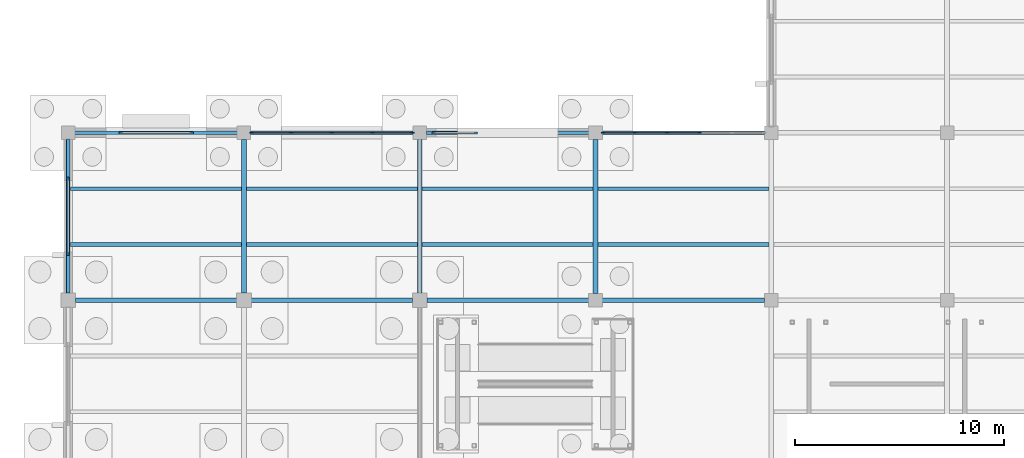
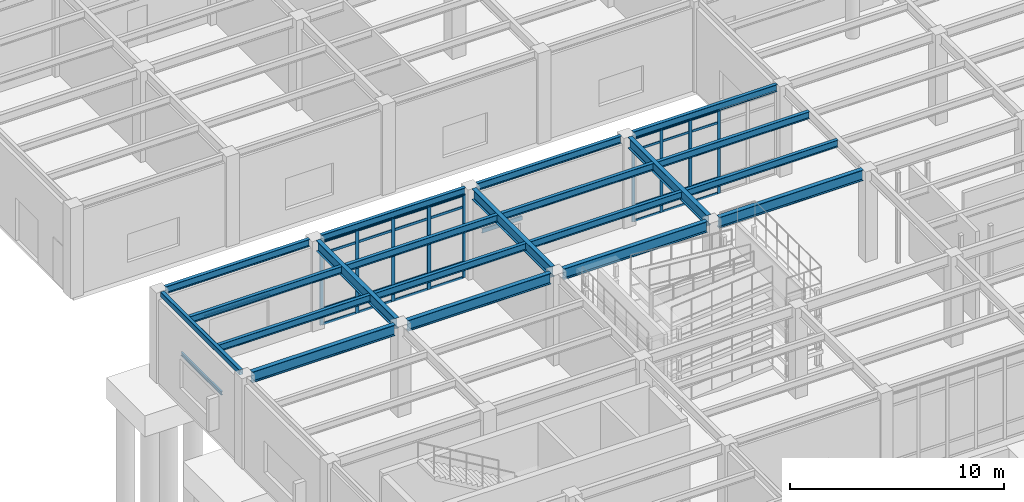
# One storey, part 26 of 138: 37 members, 23 beams, 2 elements without a shape of their own.
"""IFC4 building model written with IfcOpenShell, lengths in metres."""

from ifc_helpers import new_model, si_unit, direction, frame, origin, origin_2d, place, context, subcontext, project, spatial, rectangle, hollow_rectangle, i_section, u_section, extrude, material, layer, layer_set, material_profile, profile_set, type_object, element, aggregate, save


model = new_model("IFC4")

# Units and contexts
model_context = context("Model", 3, precision=1e-05, world=origin(), true_north=direction((0.0, 1.0)))
body_context = subcontext(model_context, "Body", "Model", "MODEL_VIEW")
ifc_project = project(units=[si_unit("LENGTHUNIT", "METRE"), si_unit("AREAUNIT", "SQUARE_METRE"), si_unit("VOLUMEUNIT", "CUBIC_METRE"), si_unit("PLANEANGLEUNIT", "RADIAN"), si_unit("MASSUNIT", "GRAM", prefix="KILO")], contexts=[model_context])

# Site, building, storey
site_placement = place(None, origin())
site = spatial("IfcSite", under=ifc_project, at=site_placement, CompositionType="ELEMENT")
building_placement = place(site_placement, origin())
building = spatial("IfcBuilding", under=site, at=building_placement, Name="Kranzveld Transit Interchange", CompositionType="ELEMENT")
storey_placement = place(building_placement, origin())
storey = spatial("IfcBuildingStorey", under=building, at=storey_placement, Name="L00", CompositionType="ELEMENT", Elevation=0.0)

# Curtain wall, members
ifc_material_1 = material(Name="Bronze-anodised thermally broken aluminium", Category="aluminium")
ifc_layer_1 = layer(ifc_material_1, 0.1650390625)
ifc_layer_set_1 = layer_set([ifc_layer_1], Name="Bronze-anodised thermally broken aluminium")
curtain_wall_type_1 = type_object("IfcCurtainWallType", Name="Sunny Court Arcade Curtain Wall CW-2", PredefinedType="USERDEFINED", material=ifc_layer_set_1)
curtain_wall_1_placement = place(storey_placement, origin())
curtain_wall_1 = element("IfcCurtainWall", 1, at=curtain_wall_1_placement, inside=storey, type_object=curtain_wall_type_1, Name="L00 Curtain Wall 04/F-05/F", ObjectType="CURTAIN WALL", PredefinedType="USERDEFINED")
ifc_material_2 = material(Name="Bronze-anodised thermally broken aluminium", Category="aluminium")
ifc_material_profile_1 = material_profile(ifc_material_2, rectangle(XDim=0.06494140625, YDim=0.1650390625, at=origin_2d()), Name="ALU MULLION 65x165")
ifc_profile_set_1 = profile_set([ifc_material_profile_1], Name="Bronze-anodised thermally broken aluminium")
member_type_1 = type_object("IfcMemberType", Name="Curtain Wall Mullion 65x165 Alu", PredefinedType="MULLION", material=ifc_profile_set_1)
member_1_placement = place(storey_placement, frame((25.5576171875, 40.0, 0.0), z_axis=(0.0, 0.0, 1.0), x_axis=(0.0, 1.0, 0.0)))
member_1 = element("IfcMember", 2, at=member_1_placement, type_object=member_type_1, Name="CW-2 mullion 1", PredefinedType="MULLION", context=body_context, shape_type="SweptSolid", body=[
    extrude(rectangle(XDim=0.06494140625, YDim=0.1650390625, at=origin_2d()), origin(), (0.0, 0.0, 1.0), 4.740478515625),
])
member_2_placement = place(storey_placement, frame((27.074951171875, 40.0, 0.0), z_axis=(0.0, 0.0, 1.0), x_axis=(0.0, 1.0, 0.0)))
member_2 = element("IfcMember", 3, at=member_2_placement, type_object=member_type_1, Name="CW-2 mullion 2", PredefinedType="MULLION", context=body_context, shape_type="SweptSolid", body=[
    extrude(rectangle(XDim=0.06494140625, YDim=0.1650390625, at=origin_2d()), origin(), (0.0, 0.0, 1.0), 4.740478515625),
])
member_3_placement = place(storey_placement, frame((28.625, 40.0, 0.0), z_axis=(0.0, 0.0, 1.0), x_axis=(0.0, 1.0, 0.0)))
member_3 = element("IfcMember", 4, at=member_3_placement, type_object=member_type_1, Name="CW-2 mullion 3", PredefinedType="MULLION", context=body_context, shape_type="SweptSolid", body=[
    extrude(rectangle(XDim=0.06494140625, YDim=0.1650390625, at=origin_2d()), origin(), (0.0, 0.0, 1.0), 4.740478515625),
])
member_4_placement = place(storey_placement, frame((30.175048828125, 40.0, 0.0), z_axis=(0.0, 0.0, 1.0), x_axis=(0.0, 1.0, 0.0)))
member_4 = element("IfcMember", 5, at=member_4_placement, type_object=member_type_1, Name="CW-2 mullion 4", PredefinedType="MULLION", context=body_context, shape_type="SweptSolid", body=[
    extrude(rectangle(XDim=0.06494140625, YDim=0.1650390625, at=origin_2d()), origin(), (0.0, 0.0, 1.0), 4.740478515625),
])

ifc_material_3 = material(Name="Bronze-anodised thermally broken aluminium", Category="aluminium")
ifc_layer_2 = layer(ifc_material_3, 0.179931640625)
ifc_layer_set_2 = layer_set([ifc_layer_2], Name="Bronze-anodised thermally broken aluminium")
curtain_wall_type_2 = type_object("IfcCurtainWallType", Name="Concourse Unitised Curtain Wall CW-1", PredefinedType="USERDEFINED", material=ifc_layer_set_2)
curtain_wall_2_placement = place(storey_placement, origin())
curtain_wall_2 = element("IfcCurtainWall", 6, at=curtain_wall_2_placement, inside=storey, type_object=curtain_wall_type_2, Name="L00 Curtain Wall 02/F-03/F", ObjectType="CURTAIN WALL", PredefinedType="USERDEFINED")
ifc_material_4 = material(Name="Bronze-anodised thermally broken aluminium", Category="aluminium")
ifc_material_profile_2 = material_profile(ifc_material_4, rectangle(XDim=0.06494140625, YDim=0.179931640625, at=origin_2d()), Name="ALU MULLION 65x180")
ifc_profile_set_2 = profile_set([ifc_material_profile_2], Name="Bronze-anodised thermally broken aluminium")
member_type_2 = type_object("IfcMemberType", Name="Curtain Wall Mullion 65x180 Alu", PredefinedType="MULLION", material=ifc_profile_set_2)
member_5_placement = place(storey_placement, frame((8.757568359375, 40.0, 0.0), z_axis=(0.0, 0.0, 1.0), x_axis=(0.0, 1.0, 0.0)))
member_5 = element("IfcMember", 7, at=member_5_placement, type_object=member_type_2, Name="CW-1 mullion 1", PredefinedType="MULLION", context=body_context, shape_type="SweptSolid", body=[
    extrude(rectangle(XDim=0.06494140625, YDim=0.179931640625, at=origin_2d()), origin(), (0.0, 0.0, 1.0), 4.740478515625),
])
member_6_placement = place(storey_placement, frame((10.66259765625, 40.0, 0.0), z_axis=(0.0, 0.0, 1.0), x_axis=(0.0, 1.0, 0.0)))
member_6 = element("IfcMember", 8, at=member_6_placement, type_object=member_type_2, Name="CW-1 mullion 2", PredefinedType="MULLION", context=body_context, shape_type="SweptSolid", body=[
    extrude(rectangle(XDim=0.06494140625, YDim=0.179931640625, at=origin_2d()), origin(), (0.0, 0.0, 1.0), 4.740478515625),
])
member_7_placement = place(storey_placement, frame((12.60009765625, 40.0, 0.0), z_axis=(0.0, 0.0, 1.0), x_axis=(0.0, 1.0, 0.0)))
member_7 = element("IfcMember", 9, at=member_7_placement, type_object=member_type_2, Name="CW-1 mullion 3", PredefinedType="MULLION", context=body_context, shape_type="SweptSolid", body=[
    extrude(rectangle(XDim=0.06494140625, YDim=0.179931640625, at=origin_2d()), origin(), (0.0, 0.0, 1.0), 4.740478515625),
])
member_8_placement = place(storey_placement, frame((14.53759765625, 40.0, 0.0), z_axis=(0.0, 0.0, 1.0), x_axis=(0.0, 1.0, 0.0)))
member_8 = element("IfcMember", 10, at=member_8_placement, type_object=member_type_2, Name="CW-1 mullion 4", PredefinedType="MULLION", context=body_context, shape_type="SweptSolid", body=[
    extrude(rectangle(XDim=0.06494140625, YDim=0.179931640625, at=origin_2d()), origin(), (0.0, 0.0, 1.0), 4.740478515625),
])
member_9_placement = place(storey_placement, frame((16.4423828125, 40.0, 0.0), z_axis=(0.0, 0.0, 1.0), x_axis=(0.0, 1.0, 0.0)))
member_9 = element("IfcMember", 11, at=member_9_placement, type_object=member_type_2, Name="CW-1 mullion 5", PredefinedType="MULLION", context=body_context, shape_type="SweptSolid", body=[
    extrude(rectangle(XDim=0.06494140625, YDim=0.179931640625, at=origin_2d()), origin(), (0.0, 0.0, 1.0), 4.740478515625),
])

# Member
ifc_material_5 = material(Name="Bronze-anodised thermally broken aluminium", Category="aluminium")
ifc_material_profile_3 = material_profile(ifc_material_5, rectangle(XDim=0.06005859375, YDim=0.125, at=origin_2d()), Name="ALU TRANSOM 60x125")
ifc_profile_set_3 = profile_set([ifc_material_profile_3], Name="Bronze-anodised thermally broken aluminium")
member_type_3 = type_object("IfcMemberType", Name="Curtain Wall Transom 60x125 Alu", PredefinedType="USERDEFINED", material=ifc_profile_set_3)
member_10_placement = place(storey_placement, frame((25.590087890625, 40.0, 0.030029296875), z_axis=(1.0, 0.0, 0.0), x_axis=(0.0, 1.0, 0.0)))
member_10 = element("IfcMember", 12, at=member_10_placement, type_object=member_type_3, Name="CW-2 transom 1.1", ObjectType="TRANSOM", PredefinedType="USERDEFINED", context=body_context, shape_type="SweptSolid", body=[
    extrude(rectangle(XDim=0.06005859375, YDim=0.125, at=origin_2d()), origin(), (0.0, 0.0, 1.0), 1.452392578125),
])

member_11_placement = place(storey_placement, frame((25.590087890625, 40.0, 0.89990234375), z_axis=(1.0, 0.0, 0.0), x_axis=(0.0, 1.0, 0.0)))
member_11 = element("IfcMember", 13, at=member_11_placement, type_object=member_type_3, Name="CW-2 transom 1.2", ObjectType="TRANSOM", PredefinedType="USERDEFINED", context=body_context, shape_type="SweptSolid", body=[
    extrude(rectangle(XDim=0.06005859375, YDim=0.125, at=origin_2d()), origin(), (0.0, 0.0, 1.0), 1.452392578125),
])

member_12_placement = place(storey_placement, frame((25.590087890625, 40.0, 4.04052734375), z_axis=(1.0, 0.0, 0.0), x_axis=(0.0, 1.0, 0.0)))
member_12 = element("IfcMember", 14, at=member_12_placement, type_object=member_type_3, Name="CW-2 transom 1.3", ObjectType="TRANSOM", PredefinedType="USERDEFINED", context=body_context, shape_type="SweptSolid", body=[
    extrude(rectangle(XDim=0.06005859375, YDim=0.125, at=origin_2d()), origin(), (0.0, 0.0, 1.0), 1.452392578125),
])

member_13_placement = place(storey_placement, frame((25.590087890625, 40.0, 4.710693359375), z_axis=(1.0, 0.0, 0.0), x_axis=(0.0, 1.0, 0.0)))
member_13 = element("IfcMember", 15, at=member_13_placement, type_object=member_type_3, Name="CW-2 transom 1.4", ObjectType="TRANSOM", PredefinedType="USERDEFINED", context=body_context, shape_type="SweptSolid", body=[
    extrude(rectangle(XDim=0.06005859375, YDim=0.125, at=origin_2d()), origin(), (0.0, 0.0, 1.0), 1.452392578125),
])

member_14_placement = place(storey_placement, frame((27.107421875, 40.0, 0.030029296875), z_axis=(1.0, 0.0, 0.0), x_axis=(0.0, 1.0, 0.0)))
member_14 = element("IfcMember", 16, at=member_14_placement, type_object=member_type_3, Name="CW-2 transom 2.1", ObjectType="TRANSOM", PredefinedType="USERDEFINED", context=body_context, shape_type="SweptSolid", body=[
    extrude(rectangle(XDim=0.06005859375, YDim=0.125, at=origin_2d()), origin(), (0.0, 0.0, 1.0), 1.485107421875),
])

member_15_placement = place(storey_placement, frame((27.107421875, 40.0, 0.89990234375), z_axis=(1.0, 0.0, 0.0), x_axis=(0.0, 1.0, 0.0)))
member_15 = element("IfcMember", 17, at=member_15_placement, type_object=member_type_3, Name="CW-2 transom 2.2", ObjectType="TRANSOM", PredefinedType="USERDEFINED", context=body_context, shape_type="SweptSolid", body=[
    extrude(rectangle(XDim=0.06005859375, YDim=0.125, at=origin_2d()), origin(), (0.0, 0.0, 1.0), 1.485107421875),
])

member_16_placement = place(storey_placement, frame((27.107421875, 40.0, 4.04052734375), z_axis=(1.0, 0.0, 0.0), x_axis=(0.0, 1.0, 0.0)))
member_16 = element("IfcMember", 18, at=member_16_placement, type_object=member_type_3, Name="CW-2 transom 2.3", ObjectType="TRANSOM", PredefinedType="USERDEFINED", context=body_context, shape_type="SweptSolid", body=[
    extrude(rectangle(XDim=0.06005859375, YDim=0.125, at=origin_2d()), origin(), (0.0, 0.0, 1.0), 1.485107421875),
])

member_17_placement = place(storey_placement, frame((27.107421875, 40.0, 4.710693359375), z_axis=(1.0, 0.0, 0.0), x_axis=(0.0, 1.0, 0.0)))
member_17 = element("IfcMember", 19, at=member_17_placement, type_object=member_type_3, Name="CW-2 transom 2.4", ObjectType="TRANSOM", PredefinedType="USERDEFINED", context=body_context, shape_type="SweptSolid", body=[
    extrude(rectangle(XDim=0.06005859375, YDim=0.125, at=origin_2d()), origin(), (0.0, 0.0, 1.0), 1.485107421875),
])

member_18_placement = place(storey_placement, frame((28.657470703125, 40.0, 0.030029296875), z_axis=(1.0, 0.0, 0.0), x_axis=(0.0, 1.0, 0.0)))
member_18 = element("IfcMember", 20, at=member_18_placement, type_object=member_type_3, Name="CW-2 transom 3.1", ObjectType="TRANSOM", PredefinedType="USERDEFINED", context=body_context, shape_type="SweptSolid", body=[
    extrude(rectangle(XDim=0.06005859375, YDim=0.125, at=origin_2d()), origin(), (0.0, 0.0, 1.0), 1.485107421875),
])

member_19_placement = place(storey_placement, frame((28.657470703125, 40.0, 0.89990234375), z_axis=(1.0, 0.0, 0.0), x_axis=(0.0, 1.0, 0.0)))
member_19 = element("IfcMember", 21, at=member_19_placement, type_object=member_type_3, Name="CW-2 transom 3.2", ObjectType="TRANSOM", PredefinedType="USERDEFINED", context=body_context, shape_type="SweptSolid", body=[
    extrude(rectangle(XDim=0.06005859375, YDim=0.125, at=origin_2d()), origin(), (0.0, 0.0, 1.0), 1.485107421875),
])

member_20_placement = place(storey_placement, frame((28.657470703125, 40.0, 4.04052734375), z_axis=(1.0, 0.0, 0.0), x_axis=(0.0, 1.0, 0.0)))
member_20 = element("IfcMember", 22, at=member_20_placement, type_object=member_type_3, Name="CW-2 transom 3.3", ObjectType="TRANSOM", PredefinedType="USERDEFINED", context=body_context, shape_type="SweptSolid", body=[
    extrude(rectangle(XDim=0.06005859375, YDim=0.125, at=origin_2d()), origin(), (0.0, 0.0, 1.0), 1.485107421875),
])

member_21_placement = place(storey_placement, frame((28.657470703125, 40.0, 4.710693359375), z_axis=(1.0, 0.0, 0.0), x_axis=(0.0, 1.0, 0.0)))
member_21 = element("IfcMember", 23, at=member_21_placement, type_object=member_type_3, Name="CW-2 transom 3.4", ObjectType="TRANSOM", PredefinedType="USERDEFINED", context=body_context, shape_type="SweptSolid", body=[
    extrude(rectangle(XDim=0.06005859375, YDim=0.125, at=origin_2d()), origin(), (0.0, 0.0, 1.0), 1.485107421875),
])

aggregate(curtain_wall_1, [member_1, member_2, member_3, member_4, member_10, member_11, member_12, member_13, member_14, member_15, member_16, member_17, member_18, member_19, member_20, member_21])

ifc_material_6 = material(Name="Bronze-anodised thermally broken aluminium", Category="aluminium")
ifc_material_profile_4 = material_profile(ifc_material_6, rectangle(XDim=0.06494140625, YDim=0.139892578125, at=origin_2d()), Name="ALU TRANSOM 65x140")
ifc_profile_set_4 = profile_set([ifc_material_profile_4], Name="Bronze-anodised thermally broken aluminium")
member_type_4 = type_object("IfcMemberType", Name="Curtain Wall Transom 65x140 Alu", PredefinedType="USERDEFINED", material=ifc_profile_set_4)
member_22_placement = place(storey_placement, frame((8.7900390625, 40.0, 0.032470703125), z_axis=(1.0, 0.0, 0.0), x_axis=(0.0, 1.0, 0.0)))
member_22 = element("IfcMember", 24, at=member_22_placement, type_object=member_type_4, Name="CW-1 transom 1.1", ObjectType="TRANSOM", PredefinedType="USERDEFINED", context=body_context, shape_type="SweptSolid", body=[
    extrude(rectangle(XDim=0.06494140625, YDim=0.139892578125, at=origin_2d()), origin(), (0.0, 0.0, 1.0), 1.83984375),
])

member_23_placement = place(storey_placement, frame((8.7900390625, 40.0, 0.89990234375), z_axis=(1.0, 0.0, 0.0), x_axis=(0.0, 1.0, 0.0)))
member_23 = element("IfcMember", 25, at=member_23_placement, type_object=member_type_4, Name="CW-1 transom 1.2", ObjectType="TRANSOM", PredefinedType="USERDEFINED", context=body_context, shape_type="SweptSolid", body=[
    extrude(rectangle(XDim=0.06494140625, YDim=0.139892578125, at=origin_2d()), origin(), (0.0, 0.0, 1.0), 1.83984375),
])

member_24_placement = place(storey_placement, frame((8.7900390625, 40.0, 4.04052734375), z_axis=(1.0, 0.0, 0.0), x_axis=(0.0, 1.0, 0.0)))
member_24 = element("IfcMember", 26, at=member_24_placement, type_object=member_type_4, Name="CW-1 transom 1.3", ObjectType="TRANSOM", PredefinedType="USERDEFINED", context=body_context, shape_type="SweptSolid", body=[
    extrude(rectangle(XDim=0.06494140625, YDim=0.139892578125, at=origin_2d()), origin(), (0.0, 0.0, 1.0), 1.83984375),
])

member_25_placement = place(storey_placement, frame((8.7900390625, 40.0, 4.7080078125), z_axis=(1.0, 0.0, 0.0), x_axis=(0.0, 1.0, 0.0)))
member_25 = element("IfcMember", 27, at=member_25_placement, type_object=member_type_4, Name="CW-1 transom 1.4", ObjectType="TRANSOM", PredefinedType="USERDEFINED", context=body_context, shape_type="SweptSolid", body=[
    extrude(rectangle(XDim=0.06494140625, YDim=0.139892578125, at=origin_2d()), origin(), (0.0, 0.0, 1.0), 1.83984375),
])

member_26_placement = place(storey_placement, frame((10.695068359375, 40.0, 0.032470703125), z_axis=(1.0, 0.0, 0.0), x_axis=(0.0, 1.0, 0.0)))
member_26 = element("IfcMember", 28, at=member_26_placement, type_object=member_type_4, Name="CW-1 transom 2.1", ObjectType="TRANSOM", PredefinedType="USERDEFINED", context=body_context, shape_type="SweptSolid", body=[
    extrude(rectangle(XDim=0.06494140625, YDim=0.139892578125, at=origin_2d()), origin(), (0.0, 0.0, 1.0), 1.872314453125),
])

member_27_placement = place(storey_placement, frame((10.695068359375, 40.0, 0.89990234375), z_axis=(1.0, 0.0, 0.0), x_axis=(0.0, 1.0, 0.0)))
member_27 = element("IfcMember", 29, at=member_27_placement, type_object=member_type_4, Name="CW-1 transom 2.2", ObjectType="TRANSOM", PredefinedType="USERDEFINED", context=body_context, shape_type="SweptSolid", body=[
    extrude(rectangle(XDim=0.06494140625, YDim=0.139892578125, at=origin_2d()), origin(), (0.0, 0.0, 1.0), 1.872314453125),
])

member_28_placement = place(storey_placement, frame((10.695068359375, 40.0, 4.04052734375), z_axis=(1.0, 0.0, 0.0), x_axis=(0.0, 1.0, 0.0)))
member_28 = element("IfcMember", 30, at=member_28_placement, type_object=member_type_4, Name="CW-1 transom 2.3", ObjectType="TRANSOM", PredefinedType="USERDEFINED", context=body_context, shape_type="SweptSolid", body=[
    extrude(rectangle(XDim=0.06494140625, YDim=0.139892578125, at=origin_2d()), origin(), (0.0, 0.0, 1.0), 1.872314453125),
])

member_29_placement = place(storey_placement, frame((10.695068359375, 40.0, 4.7080078125), z_axis=(1.0, 0.0, 0.0), x_axis=(0.0, 1.0, 0.0)))
member_29 = element("IfcMember", 31, at=member_29_placement, type_object=member_type_4, Name="CW-1 transom 2.4", ObjectType="TRANSOM", PredefinedType="USERDEFINED", context=body_context, shape_type="SweptSolid", body=[
    extrude(rectangle(XDim=0.06494140625, YDim=0.139892578125, at=origin_2d()), origin(), (0.0, 0.0, 1.0), 1.872314453125),
])

member_30_placement = place(storey_placement, frame((12.632568359375, 40.0, 0.032470703125), z_axis=(1.0, 0.0, 0.0), x_axis=(0.0, 1.0, 0.0)))
member_30 = element("IfcMember", 32, at=member_30_placement, type_object=member_type_4, Name="CW-1 transom 3.1", ObjectType="TRANSOM", PredefinedType="USERDEFINED", context=body_context, shape_type="SweptSolid", body=[
    extrude(rectangle(XDim=0.06494140625, YDim=0.139892578125, at=origin_2d()), origin(), (0.0, 0.0, 1.0), 1.872314453125),
])

member_31_placement = place(storey_placement, frame((12.632568359375, 40.0, 0.89990234375), z_axis=(1.0, 0.0, 0.0), x_axis=(0.0, 1.0, 0.0)))
member_31 = element("IfcMember", 33, at=member_31_placement, type_object=member_type_4, Name="CW-1 transom 3.2", ObjectType="TRANSOM", PredefinedType="USERDEFINED", context=body_context, shape_type="SweptSolid", body=[
    extrude(rectangle(XDim=0.06494140625, YDim=0.139892578125, at=origin_2d()), origin(), (0.0, 0.0, 1.0), 1.872314453125),
])

member_32_placement = place(storey_placement, frame((12.632568359375, 40.0, 4.04052734375), z_axis=(1.0, 0.0, 0.0), x_axis=(0.0, 1.0, 0.0)))
member_32 = element("IfcMember", 34, at=member_32_placement, type_object=member_type_4, Name="CW-1 transom 3.3", ObjectType="TRANSOM", PredefinedType="USERDEFINED", context=body_context, shape_type="SweptSolid", body=[
    extrude(rectangle(XDim=0.06494140625, YDim=0.139892578125, at=origin_2d()), origin(), (0.0, 0.0, 1.0), 1.872314453125),
])

member_33_placement = place(storey_placement, frame((12.632568359375, 40.0, 4.7080078125), z_axis=(1.0, 0.0, 0.0), x_axis=(0.0, 1.0, 0.0)))
member_33 = element("IfcMember", 35, at=member_33_placement, type_object=member_type_4, Name="CW-1 transom 3.4", ObjectType="TRANSOM", PredefinedType="USERDEFINED", context=body_context, shape_type="SweptSolid", body=[
    extrude(rectangle(XDim=0.06494140625, YDim=0.139892578125, at=origin_2d()), origin(), (0.0, 0.0, 1.0), 1.872314453125),
])

member_34_placement = place(storey_placement, frame((14.570068359375, 40.0, 0.032470703125), z_axis=(1.0, 0.0, 0.0), x_axis=(0.0, 1.0, 0.0)))
member_34 = element("IfcMember", 36, at=member_34_placement, type_object=member_type_4, Name="CW-1 transom 4.1", ObjectType="TRANSOM", PredefinedType="USERDEFINED", context=body_context, shape_type="SweptSolid", body=[
    extrude(rectangle(XDim=0.06494140625, YDim=0.139892578125, at=origin_2d()), origin(), (0.0, 0.0, 1.0), 1.83984375),
])

member_35_placement = place(storey_placement, frame((14.570068359375, 40.0, 0.89990234375), z_axis=(1.0, 0.0, 0.0), x_axis=(0.0, 1.0, 0.0)))
member_35 = element("IfcMember", 37, at=member_35_placement, type_object=member_type_4, Name="CW-1 transom 4.2", ObjectType="TRANSOM", PredefinedType="USERDEFINED", context=body_context, shape_type="SweptSolid", body=[
    extrude(rectangle(XDim=0.06494140625, YDim=0.139892578125, at=origin_2d()), origin(), (0.0, 0.0, 1.0), 1.83984375),
])

member_36_placement = place(storey_placement, frame((14.570068359375, 40.0, 4.04052734375), z_axis=(1.0, 0.0, 0.0), x_axis=(0.0, 1.0, 0.0)))
member_36 = element("IfcMember", 38, at=member_36_placement, type_object=member_type_4, Name="CW-1 transom 4.3", ObjectType="TRANSOM", PredefinedType="USERDEFINED", context=body_context, shape_type="SweptSolid", body=[
    extrude(rectangle(XDim=0.06494140625, YDim=0.139892578125, at=origin_2d()), origin(), (0.0, 0.0, 1.0), 1.83984375),
])

member_37_placement = place(storey_placement, frame((14.570068359375, 40.0, 4.7080078125), z_axis=(1.0, 0.0, 0.0), x_axis=(0.0, 1.0, 0.0)))
member_37 = element("IfcMember", 39, at=member_37_placement, type_object=member_type_4, Name="CW-1 transom 4.4", ObjectType="TRANSOM", PredefinedType="USERDEFINED", context=body_context, shape_type="SweptSolid", body=[
    extrude(rectangle(XDim=0.06494140625, YDim=0.139892578125, at=origin_2d()), origin(), (0.0, 0.0, 1.0), 1.83984375),
])

aggregate(curtain_wall_2, [member_5, member_6, member_7, member_8, member_9, member_22, member_23, member_24, member_25, member_26, member_27, member_28, member_29, member_30, member_31, member_32, member_33, member_34, member_35, member_36, member_37])

# Beams
ifc_material_7 = material(Name="Steel S355JR", Category="steel")
ifc_material_profile_5 = material_profile(ifc_material_7, hollow_rectangle(XDim=0.199951171875, YDim=0.300048828125, WallThickness=0.010009765625, InnerFilletRadius=0.014892578125, OuterFilletRadius=0.02490234375, at=origin_2d()), Name="RHS 300x200x10")
ifc_profile_set_5 = profile_set([ifc_material_profile_5], Name="Steel S355JR")
beam_type_1 = type_object("IfcBeamType", Name="Edge Spandrel RHS 300x200x10 S355JR", PredefinedType="SPANDREL", material=ifc_profile_set_5)
beam_1_placement = place(storey_placement, frame((0.0, 32.340087890625, 5.0), z_axis=(0.0, 1.0, 0.0), x_axis=(-1.0, 0.0, 0.0)))
element("IfcBeam", 40, at=beam_1_placement, inside=storey, type_object=beam_type_1, Name="L00 Girder 01/E-F", PredefinedType="SPANDREL", context=body_context, shape_type="SweptSolid", body=[
    extrude(hollow_rectangle(XDim=0.199951171875, YDim=0.300048828125, WallThickness=0.010009765625, InnerFilletRadius=0.014892578125, OuterFilletRadius=0.02490234375, at=origin_2d()), origin(), (0.0, 0.0, 1.0), 7.344970703125),
])
ifc_material_8 = material(Name="Steel S355JR", Category="steel")
ifc_material_profile_6 = material_profile(ifc_material_8, i_section(OverallWidth=0.1787109375, OverallDepth=0.409423828125, WebThickness=0.0087890625, FlangeThickness=0.014404296875, FilletRadius=0.01025390625, at=origin_2d()), Name="UB 406x178x67")
ifc_profile_set_6 = profile_set([ifc_material_profile_6], Name="Steel S355JR")
beam_type_2 = type_object("IfcBeamType", Name="Facade Spandrel UB 406x178x67 S355JR", PredefinedType="SPANDREL", material=ifc_profile_set_6)
for number, where, z_axis, x_axis, name in (
    (41, (0.31494140625, 40.0, 4.9453125), (1.0, 0.0, 0.0), (0.0, 1.0, 0.0), "L00 Girder 01-02/F"),
    (42, (8.715087890625, 40.0, 4.9453125), (1.0, 0.0, 0.0), (0.0, 1.0, 0.0), "L00 Girder 02-03/F"),
    (43, (17.114990234375, 40.0, 4.9453125), (1.0, 0.0, 0.0), (0.0, 1.0, 0.0), "L00 Girder 03-04/F"),
    (44, (25.514892578125, 40.0, 4.9453125), (1.0, 0.0, 0.0), (0.0, 1.0, 0.0), "L00 Girder 04-05/F"),
):
    element("IfcBeam", number, at=place(storey_placement, frame(where, z_axis=z_axis, x_axis=x_axis)), inside=storey, type_object=beam_type_2, Name=name, PredefinedType="SPANDREL", context=body_context, shape_type="SweptSolid", body=[
        extrude(i_section(OverallWidth=0.1787109375, OverallDepth=0.409423828125, WebThickness=0.0087890625, FlangeThickness=0.014404296875, FilletRadius=0.01025390625, at=origin_2d()), origin(), (0.0, 0.0, 1.0), 7.77001953125),
    ])
ifc_material_9 = material(Name="Steel S355JR", Category="steel")
ifc_material_profile_7 = material_profile(ifc_material_9, i_section(OverallWidth=0.177734375, OverallDepth=0.402587890625, WebThickness=0.0078125, FlangeThickness=0.010986328125, FilletRadius=0.01025390625, at=origin_2d()), Name="UB 406x178x54")
ifc_profile_set_7 = profile_set([ifc_material_profile_7], Name="Steel S355JR")
beam_type_3 = type_object("IfcBeamType", Name="Floor Joist UB 406x178x54 S355JR", PredefinedType="JOIST", material=ifc_profile_set_7)
for number, where, z_axis, x_axis, name in (
    (45, (0.10205078125, 34.666748046875, 4.94873046875), (1.0, 0.0, 0.0), (0.0, 1.0, 0.0), "L00 Secondary Joist 01-02/E.1"),
    (46, (0.10205078125, 37.333251953125, 4.94873046875), (1.0, 0.0, 0.0), (0.0, 1.0, 0.0), "L00 Secondary Joist 01-02/E.2"),
):
    element("IfcBeam", number, at=place(storey_placement, frame(where, z_axis=z_axis, x_axis=x_axis)), inside=storey, type_object=beam_type_3, Name=name, PredefinedType="JOIST", context=body_context, shape_type="SweptSolid", body=[
        extrude(i_section(OverallWidth=0.177734375, OverallDepth=0.402587890625, WebThickness=0.0078125, FlangeThickness=0.010986328125, FilletRadius=0.01025390625, at=origin_2d()), origin(), (0.0, 0.0, 1.0), 8.181884765625),
    ])
for number, where, z_axis, x_axis, name in (
    (47, (8.51611328125, 34.666748046875, 4.94873046875), (1.0, 0.0, 0.0), (0.0, 1.0, 0.0), "L00 Secondary Joist 02-03/E.1"),
    (48, (8.51611328125, 37.333251953125, 4.94873046875), (1.0, 0.0, 0.0), (0.0, 1.0, 0.0), "L00 Secondary Joist 02-03/E.2"),
):
    element("IfcBeam", number, at=place(storey_placement, frame(where, z_axis=z_axis, x_axis=x_axis)), inside=storey, type_object=beam_type_3, Name=name, PredefinedType="JOIST", context=body_context, shape_type="SweptSolid", body=[
        extrude(i_section(OverallWidth=0.177734375, OverallDepth=0.402587890625, WebThickness=0.0078125, FlangeThickness=0.010986328125, FilletRadius=0.01025390625, at=origin_2d()), origin(), (0.0, 0.0, 1.0), 8.167724609375),
    ])
for number, where, z_axis, x_axis, name in (
    (49, (16.916015625, 34.666748046875, 4.94873046875), (1.0, 0.0, 0.0), (0.0, 1.0, 0.0), "L00 Secondary Joist 03-04/E.1"),
    (50, (16.916015625, 37.333251953125, 4.94873046875), (1.0, 0.0, 0.0), (0.0, 1.0, 0.0), "L00 Secondary Joist 03-04/E.2"),
):
    element("IfcBeam", number, at=place(storey_placement, frame(where, z_axis=z_axis, x_axis=x_axis)), inside=storey, type_object=beam_type_3, Name=name, PredefinedType="JOIST", context=body_context, shape_type="SweptSolid", body=[
        extrude(i_section(OverallWidth=0.177734375, OverallDepth=0.402587890625, WebThickness=0.0078125, FlangeThickness=0.010986328125, FilletRadius=0.01025390625, at=origin_2d()), origin(), (0.0, 0.0, 1.0), 8.16796875),
    ])
for number, where, z_axis, x_axis, name in (
    (51, (25.316162109375, 34.666748046875, 4.94873046875), (1.0, 0.0, 0.0), (0.0, 1.0, 0.0), "L00 Secondary Joist 04-05/E.1"),
    (52, (25.316162109375, 37.333251953125, 4.94873046875), (1.0, 0.0, 0.0), (0.0, 1.0, 0.0), "L00 Secondary Joist 04-05/E.2"),
):
    element("IfcBeam", number, at=place(storey_placement, frame(where, z_axis=z_axis, x_axis=x_axis)), inside=storey, type_object=beam_type_3, Name=name, PredefinedType="JOIST", context=body_context, shape_type="SweptSolid", body=[
        extrude(i_section(OverallWidth=0.177734375, OverallDepth=0.402587890625, WebThickness=0.0078125, FlangeThickness=0.010986328125, FilletRadius=0.01025390625, at=origin_2d()), origin(), (0.0, 0.0, 1.0), 8.167724609375),
    ])
ifc_material_10 = material(Name="Steel S355JR", Category="steel")
ifc_material_profile_8 = material_profile(ifc_material_10, i_section(OverallWidth=0.228271484375, OverallDepth=0.607666015625, WebThickness=0.010986328125, FlangeThickness=0.017333984375, FilletRadius=0.0126953125, at=origin_2d()), Name="UB 610x229x113")
ifc_profile_set_8 = profile_set([ifc_material_profile_8], Name="Steel S355JR")
beam_type_4 = type_object("IfcBeamType", Name="Girder Steel UB 610x229x113 S355JR", PredefinedType="BEAM", material=ifc_profile_set_8)
for number, where, z_axis, x_axis, name in (
    (53, (8.39990234375, 32.340087890625, 4.84619140625), (0.0, 1.0, 0.0), (-1.0, 0.0, 0.0), "L00 Girder 02/E-F"),
    (54, (16.800048828125, 32.340087890625, 4.84619140625), (0.0, 1.0, 0.0), (-1.0, 0.0, 0.0), "L00 Girder 03/E-F"),
):
    element("IfcBeam", number, at=place(storey_placement, frame(where, z_axis=z_axis, x_axis=x_axis)), inside=storey, type_object=beam_type_4, Name=name, PredefinedType="BEAM", context=body_context, shape_type="SweptSolid", body=[
        extrude(i_section(OverallWidth=0.228271484375, OverallDepth=0.607666015625, WebThickness=0.010986328125, FlangeThickness=0.017333984375, FilletRadius=0.0126953125, at=origin_2d()), origin(), (0.0, 0.0, 1.0), 7.344970703125),
    ])
beam_2_placement = place(storey_placement, frame((25.199951171875, 32.31494140625, 4.84619140625), z_axis=(0.0, 1.0, 0.0), x_axis=(-1.0, 0.0, 0.0)))
element("IfcBeam", 55, at=beam_2_placement, inside=storey, type_object=beam_type_4, Name="L00 Girder 04/E-F", PredefinedType="BEAM", context=body_context, shape_type="SweptSolid", body=[
    extrude(i_section(OverallWidth=0.228271484375, OverallDepth=0.607666015625, WebThickness=0.010986328125, FlangeThickness=0.017333984375, FilletRadius=0.0126953125, at=origin_2d()), origin(), (0.0, 0.0, 1.0), 7.3701171875),
])
ifc_material_11 = material(Name="Steel S355JR", Category="steel")
ifc_material_profile_9 = material_profile(ifc_material_11, i_section(OverallWidth=0.230224609375, OverallDepth=0.6171875, WebThickness=0.01318359375, FlangeThickness=0.022216796875, FilletRadius=0.0126953125, at=origin_2d()), Name="UB 610x229x140")
ifc_profile_set_9 = profile_set([ifc_material_profile_9], Name="Steel S355JR")
beam_type_5 = type_object("IfcBeamType", Name="Girder Steel UB 610x229x140 S355JR", PredefinedType="BEAM", material=ifc_profile_set_9)
for number, where, z_axis, x_axis, name in (
    (56, (0.340087890625, 32.0, 4.84130859375), (1.0, 0.0, 0.0), (0.0, 1.0, 0.0), "L00 Girder 01-02/E"),
    (57, (8.739990234375, 32.0, 4.84130859375), (1.0, 0.0, 0.0), (0.0, 1.0, 0.0), "L00 Girder 02-03/E"),
):
    element("IfcBeam", number, at=place(storey_placement, frame(where, z_axis=z_axis, x_axis=x_axis)), inside=storey, type_object=beam_type_5, Name=name, PredefinedType="BEAM", context=body_context, shape_type="SweptSolid", body=[
        extrude(i_section(OverallWidth=0.230224609375, OverallDepth=0.6171875, WebThickness=0.01318359375, FlangeThickness=0.022216796875, FilletRadius=0.0126953125, at=origin_2d()), origin(), (0.0, 0.0, 1.0), 7.719970703125),
    ])
beam_3_placement = place(storey_placement, frame((17.139892578125, 32.0, 4.84130859375), z_axis=(1.0, 0.0, 0.0), x_axis=(0.0, 1.0, 0.0)))
element("IfcBeam", 58, at=beam_3_placement, inside=storey, type_object=beam_type_5, Name="L00 Girder 03-04/E", PredefinedType="BEAM", context=body_context, shape_type="SweptSolid", body=[
    extrude(i_section(OverallWidth=0.230224609375, OverallDepth=0.6171875, WebThickness=0.01318359375, FlangeThickness=0.022216796875, FilletRadius=0.0126953125, at=origin_2d()), origin(), (0.0, 0.0, 1.0), 7.7451171875),
])
beam_4_placement = place(storey_placement, frame((25.514892578125, 32.0, 4.84130859375), z_axis=(1.0, 0.0, 0.0), x_axis=(0.0, 1.0, 0.0)))
element("IfcBeam", 59, at=beam_4_placement, inside=storey, type_object=beam_type_5, Name="L00 Girder 04-05/E", PredefinedType="BEAM", context=body_context, shape_type="SweptSolid", body=[
    extrude(i_section(OverallWidth=0.230224609375, OverallDepth=0.6171875, WebThickness=0.01318359375, FlangeThickness=0.022216796875, FilletRadius=0.0126953125, at=origin_2d()), origin(), (0.0, 0.0, 1.0), 7.77001953125),
])
ifc_material_12 = material(Name="Steel S355JR", Category="steel")
ifc_material_profile_10 = material_profile(ifc_material_12, u_section(Depth=0.22998046875, FlangeWidth=0.090087890625, WebThickness=0.007568359375, FlangeThickness=0.013916015625, FilletRadius=0.011962890625, at=origin_2d()), Name="PFC 230x90x32")
ifc_profile_set_10 = profile_set([ifc_material_profile_10], Name="Steel S355JR")
beam_type_6 = type_object("IfcBeamType", Name="Masonry Lintel PFC 230x90x32 S355JR", PredefinedType="LINTEL", material=ifc_profile_set_10)
beam_5_placement = place(storey_placement, frame((17.39501953125, 40.0, 2.320068359375), z_axis=(1.0, 0.0, 0.0), x_axis=(0.0, 1.0, 0.0)))
element("IfcBeam", 60, at=beam_5_placement, inside=storey, type_object=beam_type_6, Name="L00 Entrance Door Lintel 001", PredefinedType="LINTEL", context=body_context, shape_type="SweptSolid", body=[
    extrude(u_section(Depth=0.22998046875, FlangeWidth=0.090087890625, WebThickness=0.007568359375, FlangeThickness=0.013916015625, FilletRadius=0.011962890625, at=origin_2d()), origin(), (0.0, 0.0, 1.0), 2.159912109375),
])
ifc_material_13 = material(Name="Steel S355JR", Category="steel")
ifc_material_profile_11 = material_profile(ifc_material_13, i_section(OverallWidth=0.091064453125, OverallDepth=0.179931640625, WebThickness=0.00537109375, FlangeThickness=0.008056640625, FilletRadius=0.009033203125, at=origin_2d()), Name="IPE 180")
ifc_profile_set_11 = profile_set([ifc_material_profile_11], Name="Steel S355JR")
beam_type_7 = type_object("IfcBeamType", Name="Opening Lintel IPE 180 S355JR", PredefinedType="LINTEL", material=ifc_profile_set_11)
beam_6_placement = place(storey_placement, frame((2.419921875, 40.0, 2.64501953125), z_axis=(1.0, 0.0, 0.0), x_axis=(0.0, 1.0, 0.0)))
element("IfcBeam", 61, at=beam_6_placement, inside=storey, type_object=beam_type_7, Name="L00 Window Lintel 003", PredefinedType="LINTEL", context=body_context, shape_type="SweptSolid", body=[
    extrude(i_section(OverallWidth=0.091064453125, OverallDepth=0.179931640625, WebThickness=0.00537109375, FlangeThickness=0.008056640625, FilletRadius=0.009033203125, at=origin_2d()), origin(), (0.0, 0.0, 1.0), 3.56005859375),
])
ifc_material_14 = material(Name="Steel S355JR", Category="steel")
ifc_material_profile_12 = material_profile(ifc_material_14, i_section(OverallWidth=0.10009765625, OverallDepth=0.199951171875, WebThickness=0.005615234375, FlangeThickness=0.008544921875, FilletRadius=0.011962890625, at=origin_2d()), Name="IPE 200")
ifc_profile_set_12 = profile_set([ifc_material_profile_12], Name="Steel S355JR")
beam_type_8 = type_object("IfcBeamType", Name="Opening Lintel IPE 200 S355JR", PredefinedType="LINTEL", material=ifc_profile_set_12)
beam_7_placement = place(storey_placement, frame((0.0, 34.132568359375, 2.705078125), z_axis=(0.0, 1.0, 0.0), x_axis=(-1.0, 0.0, 0.0)))
element("IfcBeam", 62, at=beam_7_placement, inside=storey, type_object=beam_type_8, Name="L00 Window Lintel 002", PredefinedType="LINTEL", context=body_context, shape_type="SweptSolid", body=[
    extrude(i_section(OverallWidth=0.10009765625, OverallDepth=0.199951171875, WebThickness=0.005615234375, FlangeThickness=0.008544921875, FilletRadius=0.011962890625, at=origin_2d()), origin(), (0.0, 0.0, 1.0), 3.760009765625),
])

save(model, "model.ifc")
